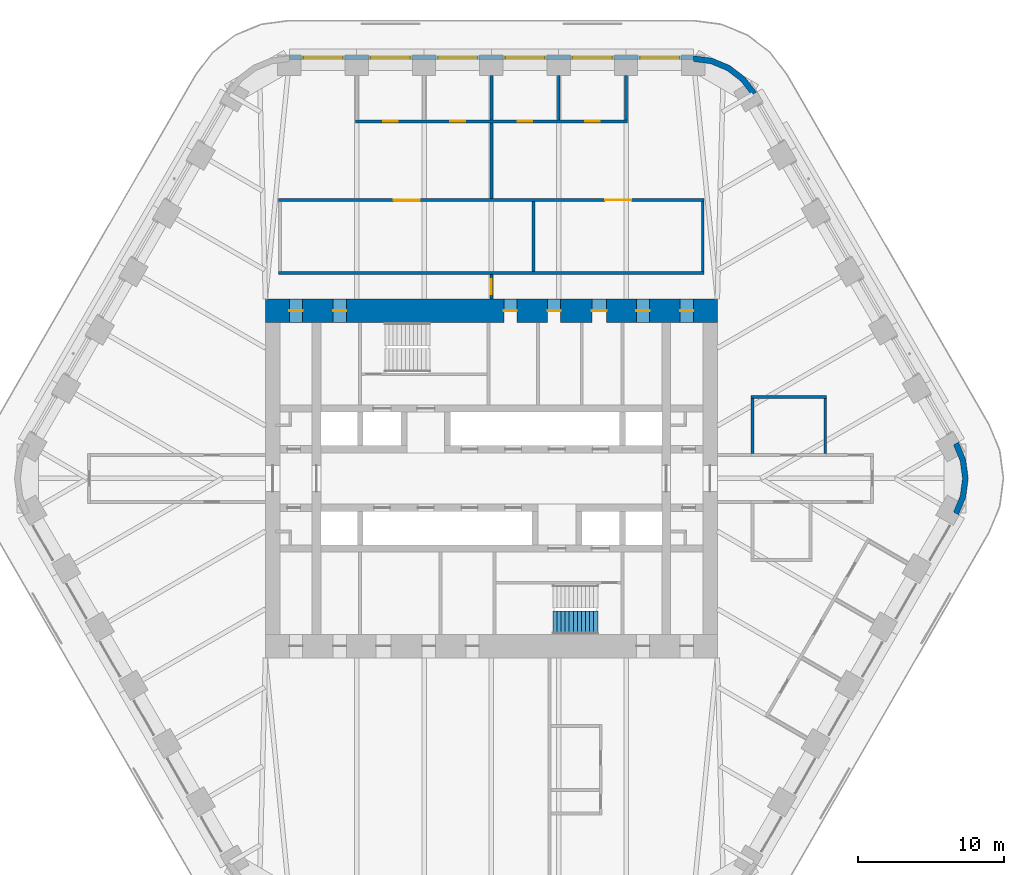
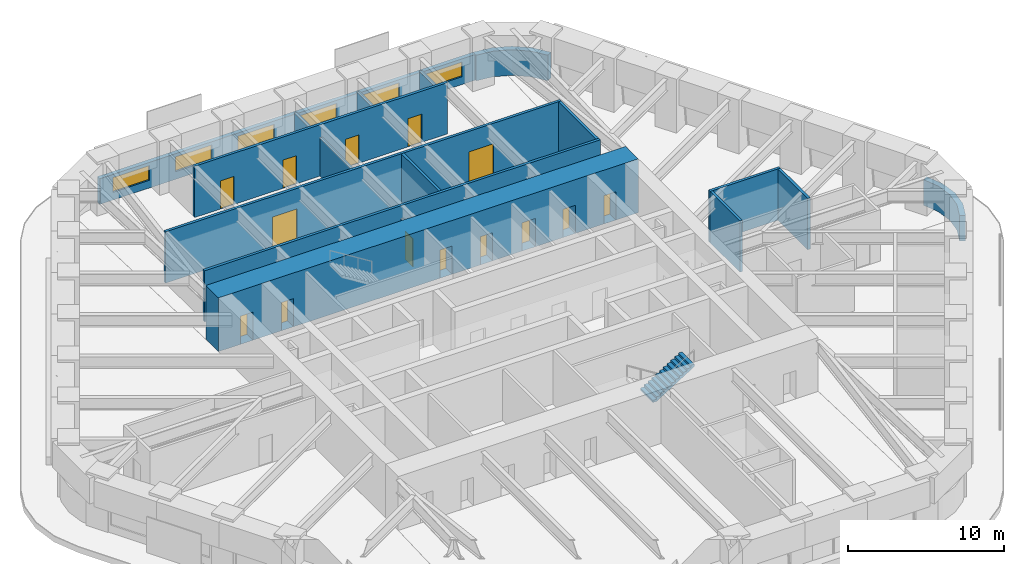
# One storey, part 17 of 20: 17 walls, 14 doors, 6 windows, 1 stair flight, 20 openings, 1 element without a shape of its own.
"""IFC4 building model written with IfcOpenShell, lengths in metres."""

from ifc_helpers import new_model, si_unit, direction, frame, frame_2d, origin, place, context, subcontext, project, spatial, polyline, rectangle, outline, extrude, material, layer, layer_set, type_object, element, fill, aggregate, save


model = new_model("IFC4")

# Units and contexts
model_context = context("Model", 3, precision=1e-05, world=origin(), true_north=direction((0.0, 1.0)))
body_context = subcontext(model_context, "Body", "Model", "MODEL_VIEW")
ifc_project = project(units=[si_unit("LENGTHUNIT", "METRE"), si_unit("AREAUNIT", "SQUARE_METRE"), si_unit("VOLUMEUNIT", "CUBIC_METRE"), si_unit("PLANEANGLEUNIT", "RADIAN"), si_unit("MASSUNIT", "GRAM", prefix="KILO")], contexts=[model_context])

# Site, building, storey
site_placement = place(None, origin())
site = spatial("IfcSite", under=ifc_project, at=site_placement, CompositionType="ELEMENT")
building_placement = place(site_placement, origin())
building = spatial("IfcBuilding", under=site, at=building_placement, Name="Tarfa Lantern Tower", CompositionType="ELEMENT")
storey_placement = place(building_placement, frame((0.0, 0.0, 223.89990234375)))
storey = spatial("IfcBuildingStorey", under=building, at=storey_placement, Name="L50", CompositionType="ELEMENT", Elevation=223.89990234375)

# Wall, openings, windows
ifc_material_1 = material(Name="Limestone cladding on blockwork", Category="masonry")
ifc_layer_1 = layer(ifc_material_1, 0.300048828125)
ifc_layer_set_1 = layer_set([ifc_layer_1], Name="EW1 STONE-CLAD WALL 300")
wall_type_1 = type_object("IfcWallType", Name="EW1 STONE-CLAD WALL 300", PredefinedType="SOLIDWALL", material=ifc_layer_set_1)
wall_1_placement = place(storey_placement, frame((13.8564453125, 28.85009765625, 0.0), z_axis=(0.0, 0.0, 1.0), x_axis=(-1.0, 0.0, 0.0)))
wall_1 = element("IfcWall", 1, at=wall_1_placement, inside=storey, type_object=wall_type_1, Name="Stone wall N", PredefinedType="SOLIDWALL", context=body_context, shape_type="SweptSolid", body=[
    extrude(rectangle(XDim=27.712890625, YDim=0.300048828125, at=frame_2d((13.8564453125, 0.0))), origin(), (0.0, 0.0, 1.0), 2.0),
])
opening_1_placement = place(wall_1_placement, frame((0.95947265625, 0.0, 0.60009765625)))
opening_1 = element("IfcOpeningElement", 2, at=opening_1_placement, cuts=wall_1, Name="Opening W13", PredefinedType="OPENING", context=body_context, shape_type="SweptSolid", body=[
    extrude(rectangle(XDim=2.699951171875, YDim=1.14990234375, at=frame_2d((1.35009765625, 0.574951171875))), frame((0.0, 0.159912109375, 0.0), z_axis=(0.0, -1.0, 0.0), x_axis=(1.0, 0.0, 0.0)), (0.0, 0.0, 1.0), 0.320068359375),
])
opening_2_placement = place(wall_1_placement, frame((5.578125, 0.0, 0.60009765625)))
opening_2 = element("IfcOpeningElement", 3, at=opening_2_placement, cuts=wall_1, Name="Opening W13", PredefinedType="OPENING", context=body_context, shape_type="SweptSolid", body=[
    extrude(rectangle(XDim=2.699951171875, YDim=1.14990234375, at=frame_2d((1.35009765625, 0.574951171875))), frame((0.0, 0.159912109375, 0.0), z_axis=(0.0, -1.0, 0.0), x_axis=(1.0, 0.0, 0.0)), (0.0, 0.0, 1.0), 0.320068359375),
])
opening_3_placement = place(wall_1_placement, frame((10.197021484375, 0.0, 0.60009765625)))
opening_3 = element("IfcOpeningElement", 4, at=opening_3_placement, cuts=wall_1, Name="Opening W13", PredefinedType="OPENING", context=body_context, shape_type="SweptSolid", body=[
    extrude(rectangle(XDim=2.699951171875, YDim=1.14990234375, at=frame_2d((1.35009765625, 0.574951171875))), frame((0.0, 0.159912109375, 0.0), z_axis=(0.0, -1.0, 0.0), x_axis=(1.0, 0.0, 0.0)), (0.0, 0.0, 1.0), 0.320068359375),
])
opening_4_placement = place(wall_1_placement, frame((14.81591796875, 0.0, 0.60009765625)))
opening_4 = element("IfcOpeningElement", 5, at=opening_4_placement, cuts=wall_1, Name="Opening W13", PredefinedType="OPENING", context=body_context, shape_type="SweptSolid", body=[
    extrude(rectangle(XDim=2.699951171875, YDim=1.14990234375, at=frame_2d((1.35009765625, 0.574951171875))), frame((0.0, 0.159912109375, 0.0), z_axis=(0.0, -1.0, 0.0), x_axis=(1.0, 0.0, 0.0)), (0.0, 0.0, 1.0), 0.320068359375),
])
opening_5_placement = place(wall_1_placement, frame((19.4345703125, 0.0, 0.60009765625)))
opening_5 = element("IfcOpeningElement", 6, at=opening_5_placement, cuts=wall_1, Name="Opening W13", PredefinedType="OPENING", context=body_context, shape_type="SweptSolid", body=[
    extrude(rectangle(XDim=2.699951171875, YDim=1.14990234375, at=frame_2d((1.35009765625, 0.574951171875))), frame((0.0, 0.159912109375, 0.0), z_axis=(0.0, -1.0, 0.0), x_axis=(1.0, 0.0, 0.0)), (0.0, 0.0, 1.0), 0.320068359375),
])
opening_6_placement = place(wall_1_placement, frame((24.053466796875, 0.0, 0.60009765625)))
opening_6 = element("IfcOpeningElement", 7, at=opening_6_placement, cuts=wall_1, Name="Opening W13", PredefinedType="OPENING", context=body_context, shape_type="SweptSolid", body=[
    extrude(rectangle(XDim=2.699951171875, YDim=1.14990234375, at=frame_2d((1.35009765625, 0.574951171875))), frame((0.0, 0.159912109375, 0.0), z_axis=(0.0, -1.0, 0.0), x_axis=(1.0, 0.0, 0.0)), (0.0, 0.0, 1.0), 0.320068359375),
])
ifc_material_2 = material(Name="Aluminium frame, double glazed", Category="aluminium")
window_type = type_object("IfcWindowType", Name="W13 FULL-HEIGHT GLAZING 2700x1150", PartitioningType="SINGLE_PANEL", PredefinedType="WINDOW", material=ifc_material_2)
window_1_placement = place(opening_1_placement, origin())
window_1 = element("IfcWindow", 8, at=window_1_placement, inside=storey, type_object=window_type, Name="Window N 1", OverallHeight=1.14990234375, OverallWidth=2.699951171875, PartitioningType="SINGLE_PANEL", PredefinedType="WINDOW", context=body_context, shape_type="SweptSolid", body=[
    extrude(rectangle(XDim=2.699951171875, YDim=1.14990234375, at=frame_2d((1.35009765625, 0.574951171875))), frame((0.0, 0.030029296875, 0.0), z_axis=(0.0, -1.0, 0.0), x_axis=(1.0, 0.0, 0.0)), (0.0, 0.0, 1.0), 0.06005859375),
])
fill(opening_1, window_1)
window_2_placement = place(opening_2_placement, origin())
window_2 = element("IfcWindow", 9, at=window_2_placement, inside=storey, type_object=window_type, Name="Window N 2", OverallHeight=1.14990234375, OverallWidth=2.699951171875, PartitioningType="SINGLE_PANEL", PredefinedType="WINDOW", context=body_context, shape_type="SweptSolid", body=[
    extrude(rectangle(XDim=2.699951171875, YDim=1.14990234375, at=frame_2d((1.35009765625, 0.574951171875))), frame((0.0, 0.030029296875, 0.0), z_axis=(0.0, -1.0, 0.0), x_axis=(1.0, 0.0, 0.0)), (0.0, 0.0, 1.0), 0.06005859375),
])
fill(opening_2, window_2)
window_3_placement = place(opening_3_placement, origin())
window_3 = element("IfcWindow", 10, at=window_3_placement, inside=storey, type_object=window_type, Name="Window N 3", OverallHeight=1.14990234375, OverallWidth=2.699951171875, PartitioningType="SINGLE_PANEL", PredefinedType="WINDOW", context=body_context, shape_type="SweptSolid", body=[
    extrude(rectangle(XDim=2.699951171875, YDim=1.14990234375, at=frame_2d((1.35009765625, 0.574951171875))), frame((0.0, 0.030029296875, 0.0), z_axis=(0.0, -1.0, 0.0), x_axis=(1.0, 0.0, 0.0)), (0.0, 0.0, 1.0), 0.06005859375),
])
fill(opening_3, window_3)
window_4_placement = place(opening_4_placement, origin())
window_4 = element("IfcWindow", 11, at=window_4_placement, inside=storey, type_object=window_type, Name="Window N 4", OverallHeight=1.14990234375, OverallWidth=2.699951171875, PartitioningType="SINGLE_PANEL", PredefinedType="WINDOW", context=body_context, shape_type="SweptSolid", body=[
    extrude(rectangle(XDim=2.699951171875, YDim=1.14990234375, at=frame_2d((1.35009765625, 0.574951171875))), frame((0.0, 0.030029296875, 0.0), z_axis=(0.0, -1.0, 0.0), x_axis=(1.0, 0.0, 0.0)), (0.0, 0.0, 1.0), 0.06005859375),
])
fill(opening_4, window_4)
window_5_placement = place(opening_5_placement, origin())
window_5 = element("IfcWindow", 12, at=window_5_placement, inside=storey, type_object=window_type, Name="Window N 5", OverallHeight=1.14990234375, OverallWidth=2.699951171875, PartitioningType="SINGLE_PANEL", PredefinedType="WINDOW", context=body_context, shape_type="SweptSolid", body=[
    extrude(rectangle(XDim=2.699951171875, YDim=1.14990234375, at=frame_2d((1.35009765625, 0.574951171875))), frame((0.0, 0.030029296875, 0.0), z_axis=(0.0, -1.0, 0.0), x_axis=(1.0, 0.0, 0.0)), (0.0, 0.0, 1.0), 0.06005859375),
])
fill(opening_5, window_5)
window_6_placement = place(opening_6_placement, origin())
window_6 = element("IfcWindow", 13, at=window_6_placement, inside=storey, type_object=window_type, Name="Window N 6", OverallHeight=1.14990234375, OverallWidth=2.699951171875, PartitioningType="SINGLE_PANEL", PredefinedType="WINDOW", context=body_context, shape_type="SweptSolid", body=[
    extrude(rectangle(XDim=2.699951171875, YDim=1.14990234375, at=frame_2d((1.35009765625, 0.574951171875))), frame((0.0, 0.030029296875, 0.0), z_axis=(0.0, -1.0, 0.0), x_axis=(1.0, 0.0, 0.0)), (0.0, 0.0, 1.0), 0.06005859375),
])
fill(opening_6, window_6)

# Walls
ifc_layer_2 = layer(ifc_material_1, 0.39990234375)
ifc_layer_set_2 = layer_set([ifc_layer_2], Name="EW2 CURVED STONE CORNER 400")
wall_type_2 = type_object("IfcWallType", Name="EW2 CURVED STONE CORNER 400", PredefinedType="SOLIDWALL", material=ifc_layer_set_2)
wall_2_placement = place(storey_placement, origin())
element("IfcWall", 14, at=wall_2_placement, inside=storey, type_object=wall_type_2, Name="Stone corner NE-N", PredefinedType="SOLIDWALL", context=body_context, shape_type="SweptSolid", body=[
    extrude(outline(polyline([(18.1865234375, 26.5), (17.391845703125, 27.53564453125), (16.3564453125, 28.330078125), (15.150390625, 28.82958984375), (13.8564453125, 29.0), (13.8564453125, 28.60009765625), (15.046875, 28.443359375), (16.156494140625, 27.983642578125), (17.109130859375, 27.252685546875), (17.840087890625, 26.300048828125), (18.1865234375, 26.5)])), origin(), (0.0, 0.0, 1.0), 2.0),
])
wall_3_placement = place(storey_placement, origin())
element("IfcWall", 15, at=wall_3_placement, inside=storey, type_object=wall_type_2, Name="Stone corner SE-NE", PredefinedType="SOLIDWALL", context=body_context, shape_type="SweptSolid", body=[
    extrude(outline(polyline([(32.04296875, -2.5), (32.54248046875, -1.294189453125), (32.712890625, 0.0), (32.54248046875, 1.294189453125), (32.04296875, 2.5), (31.696533203125, 2.300048828125), (32.156005859375, 1.190673828125), (32.312744140625, 0.0), (32.156005859375, -1.190673828125), (31.696533203125, -2.300048828125), (32.04296875, -2.5)])), origin(), (0.0, 0.0, 1.0), 2.0),
])
ifc_material_3 = material(Name="Gypsum board on steel studs", Category="steel")
ifc_layer_3 = layer(ifc_material_3, 0.2099609375)
ifc_layer_set_3 = layer_set([ifc_layer_3], Name="IW2 ACOUSTIC PARTITION 200")
wall_type_3 = type_object("IfcWallType", Name="IW2 ACOUSTIC PARTITION 200", PredefinedType="PARTITIONING", material=ifc_layer_set_3)
wall_4_placement = place(storey_placement, frame((-14.60009765625, 14.10009765625, 0.0), z_axis=(0.0, 0.0, 1.0), x_axis=(1.0, 0.0, 0.0)))
element("IfcWall", 16, at=wall_4_placement, inside=storey, type_object=wall_type_3, Name="Partition", PredefinedType="PARTITIONING", context=body_context, shape_type="SweptSolid", body=[
    extrude(rectangle(XDim=29.2001953125, YDim=0.199951171875, at=frame_2d((14.60009765625, 0.0))), origin(), (0.0, 0.0, 1.0), 4.0),
])

# Wall, openings, doors
wall_5_placement = place(storey_placement, frame((-14.60009765625, 19.10009765625, 0.0), z_axis=(0.0, 0.0, 1.0), x_axis=(1.0, 0.0, 0.0)))
wall_5 = element("IfcWall", 17, at=wall_5_placement, inside=storey, type_object=wall_type_3, Name="Partition", PredefinedType="PARTITIONING", context=body_context, shape_type="SweptSolid", body=[
    extrude(rectangle(XDim=29.2001953125, YDim=0.199951171875, at=frame_2d((14.60009765625, 0.0))), origin(), (0.0, 0.0, 1.0), 4.0),
])
opening_7_placement = place(wall_5_placement, frame((7.89990234375, 0.0, 0.0)))
opening_7 = element("IfcOpeningElement", 18, at=opening_7_placement, cuts=wall_5, Name="Opening D36", PredefinedType="OPENING", context=body_context, shape_type="SweptSolid", body=[
    extrude(rectangle(XDim=1.800048828125, YDim=2.39990234375, at=frame_2d((0.89990234375, 1.199951171875))), frame((0.0, 0.10986328125, 0.0), z_axis=(0.0, -1.0, 0.0), x_axis=(1.0, 0.0, 0.0)), (0.0, 0.0, 1.0), 0.219970703125),
])
opening_8_placement = place(wall_5_placement, frame((22.39990234375, 0.0, 0.0)))
opening_8 = element("IfcOpeningElement", 19, at=opening_8_placement, cuts=wall_5, Name="Opening D37", PredefinedType="OPENING", context=body_context, shape_type="SweptSolid", body=[
    extrude(rectangle(XDim=1.800048828125, YDim=2.39990234375, at=frame_2d((0.89990234375, 1.199951171875))), frame((0.0, 0.10986328125, 0.0), z_axis=(0.0, -1.0, 0.0), x_axis=(1.0, 0.0, 0.0)), (0.0, 0.0, 1.0), 0.219970703125),
])
ifc_material_4 = material(Name="Timber door", Category="wood")
door_type_1 = type_object("IfcDoorType", Name="DR2 ROOM DOOR 1800x2400", OperationType="DOUBLE_DOOR_SINGLE_SWING", PredefinedType="DOOR", material=ifc_material_4)
door_1_placement = place(opening_7_placement, frame((1.800048828125, 0.0, 0.0), z_axis=(0.0, 0.0, 1.0), x_axis=(-1.0, 0.0, 0.0)))
door_1 = element("IfcDoor", 20, at=door_1_placement, inside=storey, type_object=door_type_1, Name="Legal library door", OperationType="DOUBLE_DOOR_SINGLE_SWING", OverallHeight=2.39990234375, OverallWidth=1.800048828125, PredefinedType="DOOR", context=body_context, shape_type="SweptSolid", body=[
    extrude(rectangle(XDim=1.800048828125, YDim=2.39990234375, at=frame_2d((0.89990234375, 1.199951171875))), frame((0.0, 0.02490234375, 0.0), z_axis=(0.0, -1.0, 0.0), x_axis=(1.0, 0.0, 0.0)), (0.0, 0.0, 1.0), 0.050048828125),
])
fill(opening_7, door_1)
door_2_placement = place(opening_8_placement, frame((1.800048828125, 0.0, 0.0), z_axis=(0.0, 0.0, 1.0), x_axis=(-1.0, 0.0, 0.0)))
door_2 = element("IfcDoor", 21, at=door_2_placement, inside=storey, type_object=door_type_1, Name="File room door", OperationType="DOUBLE_DOOR_SINGLE_SWING", OverallHeight=2.39990234375, OverallWidth=1.800048828125, PredefinedType="DOOR", context=body_context, shape_type="SweptSolid", body=[
    extrude(rectangle(XDim=1.800048828125, YDim=2.39990234375, at=frame_2d((0.89990234375, 1.199951171875))), frame((0.0, 0.02490234375, 0.0), z_axis=(0.0, -1.0, 0.0), x_axis=(1.0, 0.0, 0.0)), (0.0, 0.0, 1.0), 0.050048828125),
])
fill(opening_8, door_2)

# Walls
for number, where, z_axis, x_axis, name in (
    (22, (2.89990234375, 14.199951171875, 0.0), (0.0, 0.0, 1.0), (0.0, 1.0, 0.0), "Partition"),
    (23, (14.5, 14.199951171875, 0.0), (0.0, 0.0, 1.0), (0.0, 1.0, 0.0), "Partition"),
):
    element("IfcWall", number, at=place(storey_placement, frame(where, z_axis=z_axis, x_axis=x_axis)), inside=storey, type_object=wall_type_3, Name=name, PredefinedType="PARTITIONING", context=body_context, shape_type="SweptSolid", body=[
        extrude(rectangle(XDim=4.800048828125, YDim=0.199951171875, at=frame_2d((2.39990234375, 0.0))), origin(), (0.0, 0.0, 1.0), 4.0),
    ])

# Wall, openings, doors
wall_6_placement = place(storey_placement, frame((9.337646484375, 24.5, 0.0), z_axis=(0.0, 0.0, 1.0), x_axis=(-1.0, 0.0, 0.0)))
wall_6 = element("IfcWall", 24, at=wall_6_placement, inside=storey, type_object=wall_type_3, Name="Partition", PredefinedType="PARTITIONING", context=body_context, shape_type="SweptSolid", body=[
    extrude(rectangle(XDim=18.67529296875, YDim=0.199951171875, at=frame_2d((9.337646484375, 0.0))), origin(), (0.0, 0.0, 1.0), 4.0),
])
opening_9_placement = place(wall_6_placement, frame((1.909423828125, 0.0, 0.0)))
opening_9 = element("IfcOpeningElement", 25, at=opening_9_placement, cuts=wall_6, Name="Opening D29", PredefinedType="OPENING", context=body_context, shape_type="SweptSolid", body=[
    extrude(rectangle(XDim=1.0, YDim=2.199951171875, at=frame_2d((0.5, 1.10009765625))), frame((0.0, 0.10986328125, 0.0), z_axis=(0.0, -1.0, 0.0), x_axis=(1.0, 0.0, 0.0)), (0.0, 0.0, 1.0), 0.219970703125),
])
opening_10_placement = place(wall_6_placement, frame((6.5283203125, 0.0, 0.0)))
opening_10 = element("IfcOpeningElement", 26, at=opening_10_placement, cuts=wall_6, Name="Opening D30", PredefinedType="OPENING", context=body_context, shape_type="SweptSolid", body=[
    extrude(rectangle(XDim=1.0, YDim=2.199951171875, at=frame_2d((0.5, 1.10009765625))), frame((0.0, 0.10986328125, 0.0), z_axis=(0.0, -1.0, 0.0), x_axis=(1.0, 0.0, 0.0)), (0.0, 0.0, 1.0), 0.219970703125),
])
opening_11_placement = place(wall_6_placement, frame((11.14697265625, 0.0, 0.0)))
opening_11 = element("IfcOpeningElement", 27, at=opening_11_placement, cuts=wall_6, Name="Opening D31", PredefinedType="OPENING", context=body_context, shape_type="SweptSolid", body=[
    extrude(rectangle(XDim=1.0, YDim=2.199951171875, at=frame_2d((0.5, 1.10009765625))), frame((0.0, 0.10986328125, 0.0), z_axis=(0.0, -1.0, 0.0), x_axis=(1.0, 0.0, 0.0)), (0.0, 0.0, 1.0), 0.219970703125),
])
opening_12_placement = place(wall_6_placement, frame((15.765869140625, 0.0, 0.0)))
opening_12 = element("IfcOpeningElement", 28, at=opening_12_placement, cuts=wall_6, Name="Opening D32", PredefinedType="OPENING", context=body_context, shape_type="SweptSolid", body=[
    extrude(rectangle(XDim=1.0, YDim=2.199951171875, at=frame_2d((0.5, 1.10009765625))), frame((0.0, 0.10986328125, 0.0), z_axis=(0.0, -1.0, 0.0), x_axis=(1.0, 0.0, 0.0)), (0.0, 0.0, 1.0), 0.219970703125),
])
door_type_2 = type_object("IfcDoorType", Name="DR1 ROOM DOOR 1000x2200", OperationType="SINGLE_SWING_LEFT", PredefinedType="DOOR", material=ifc_material_4)
door_3_placement = place(opening_9_placement, frame((1.0, 0.0, 0.0), z_axis=(0.0, 0.0, 1.0), x_axis=(-1.0, 0.0, 0.0)))
door_3 = element("IfcDoor", 29, at=door_3_placement, inside=storey, type_object=door_type_2, Name="Office door", OperationType="SINGLE_SWING_LEFT", OverallHeight=2.199951171875, OverallWidth=1.0, PredefinedType="DOOR", context=body_context, shape_type="SweptSolid", body=[
    extrude(rectangle(XDim=1.0, YDim=2.199951171875, at=frame_2d((0.5, 1.10009765625))), frame((0.0, 0.02490234375, 0.0), z_axis=(0.0, -1.0, 0.0), x_axis=(1.0, 0.0, 0.0)), (0.0, 0.0, 1.0), 0.050048828125),
])
fill(opening_9, door_3)
door_4_placement = place(opening_10_placement, frame((1.0, 0.0, 0.0), z_axis=(0.0, 0.0, 1.0), x_axis=(-1.0, 0.0, 0.0)))
door_4 = element("IfcDoor", 30, at=door_4_placement, inside=storey, type_object=door_type_2, Name="Office door", OperationType="SINGLE_SWING_LEFT", OverallHeight=2.199951171875, OverallWidth=1.0, PredefinedType="DOOR", context=body_context, shape_type="SweptSolid", body=[
    extrude(rectangle(XDim=1.0, YDim=2.199951171875, at=frame_2d((0.5, 1.10009765625))), frame((0.0, 0.02490234375, 0.0), z_axis=(0.0, -1.0, 0.0), x_axis=(1.0, 0.0, 0.0)), (0.0, 0.0, 1.0), 0.050048828125),
])
fill(opening_10, door_4)
door_5_placement = place(opening_11_placement, frame((1.0, 0.0, 0.0), z_axis=(0.0, 0.0, 1.0), x_axis=(-1.0, 0.0, 0.0)))
door_5 = element("IfcDoor", 31, at=door_5_placement, inside=storey, type_object=door_type_2, Name="Office door", OperationType="SINGLE_SWING_RIGHT", OverallHeight=2.199951171875, OverallWidth=1.0, PredefinedType="DOOR", context=body_context, shape_type="SweptSolid", body=[
    extrude(rectangle(XDim=1.0, YDim=2.199951171875, at=frame_2d((0.5, 1.10009765625))), frame((0.0, 0.02490234375, 0.0), z_axis=(0.0, -1.0, 0.0), x_axis=(1.0, 0.0, 0.0)), (0.0, 0.0, 1.0), 0.050048828125),
])
fill(opening_11, door_5)
door_6_placement = place(opening_12_placement, frame((1.0, 0.0, 0.0), z_axis=(0.0, 0.0, 1.0), x_axis=(-1.0, 0.0, 0.0)))
door_6 = element("IfcDoor", 32, at=door_6_placement, inside=storey, type_object=door_type_2, Name="Office door", OperationType="SINGLE_SWING_RIGHT", OverallHeight=2.199951171875, OverallWidth=1.0, PredefinedType="DOOR", context=body_context, shape_type="SweptSolid", body=[
    extrude(rectangle(XDim=1.0, YDim=2.199951171875, at=frame_2d((0.5, 1.10009765625))), frame((0.0, 0.02490234375, 0.0), z_axis=(0.0, -1.0, 0.0), x_axis=(1.0, 0.0, 0.0)), (0.0, 0.0, 1.0), 0.050048828125),
])
fill(opening_12, door_6)

# Walls
for number, where, z_axis, x_axis, name in (
    (33, (9.237548828125, 24.60009765625, 0.0), (0.0, 0.0, 1.0), (0.0, 1.0, 0.0), "Partition"),
    (34, (4.618896484375, 24.60009765625, 0.0), (0.0, 0.0, 1.0), (0.0, 1.0, 0.0), "Partition"),
    (35, (0.0, 24.60009765625, 0.0), (0.0, 0.0, 1.0), (0.0, 1.0, 0.0), "Partition"),
):
    element("IfcWall", number, at=place(storey_placement, frame(where, z_axis=z_axis, x_axis=x_axis)), inside=storey, type_object=wall_type_3, Name=name, PredefinedType="PARTITIONING", context=body_context, shape_type="SweptSolid", body=[
        extrude(rectangle(XDim=3.0498046875, YDim=0.199951171875, at=frame_2d((1.52490234375, 0.0))), origin(), (0.0, 0.0, 1.0), 2.991943359375),
    ])
wall_7_placement = place(storey_placement, frame((17.800048828125, 5.60009765625, 0.0), z_axis=(0.0, 0.0, 1.0), x_axis=(1.0, 0.0, 0.0)))
element("IfcWall", 36, at=wall_7_placement, inside=storey, type_object=wall_type_3, Name="Partition", PredefinedType="PARTITIONING", context=body_context, shape_type="SweptSolid", body=[
    extrude(rectangle(XDim=5.199951171875, YDim=0.199951171875, at=frame_2d((2.60009765625, 0.0))), origin(), (0.0, 0.0, 1.0), 4.0),
])
for number, where, z_axis, x_axis, name in (
    (37, (17.89990234375, 1.699951171875, 0.0), (0.0, 0.0, 1.0), (0.0, 1.0, 0.0), "Partition"),
    (38, (22.89990234375, 1.699951171875, 0.0), (0.0, 0.0, 1.0), (0.0, 1.0, 0.0), "Partition"),
):
    element("IfcWall", number, at=place(storey_placement, frame(where, z_axis=z_axis, x_axis=x_axis)), inside=storey, type_object=wall_type_3, Name=name, PredefinedType="PARTITIONING", context=body_context, shape_type="SweptSolid", body=[
        extrude(rectangle(XDim=3.800048828125, YDim=0.199951171875, at=frame_2d((1.89990234375, 0.0))), origin(), (0.0, 0.0, 1.0), 4.0),
    ])

# Wall, opening, door
wall_8_placement = place(storey_placement, frame((0.0, 12.300048828125, 0.0), z_axis=(0.0, 0.0, 1.0), x_axis=(0.0, 1.0, 0.0)))
wall_8 = element("IfcWall", 39, at=wall_8_placement, inside=storey, type_object=wall_type_3, Name="Partition", PredefinedType="PARTITIONING", context=body_context, shape_type="SweptSolid", body=[
    extrude(rectangle(XDim=1.699951171875, YDim=0.199951171875, at=frame_2d((0.85009765625, 0.0))), origin(), (0.0, 0.0, 1.0), 2.991943359375),
])
opening_13_placement = place(wall_8_placement, frame((0.35009765625, 0.0, 0.0)))
opening_13 = element("IfcOpeningElement", 40, at=opening_13_placement, cuts=wall_8, Name="Opening D46", PredefinedType="OPENING", context=body_context, shape_type="SweptSolid", body=[
    extrude(rectangle(XDim=1.0, YDim=2.199951171875, at=frame_2d((0.5, 1.10009765625))), frame((0.0, 0.10986328125, 0.0), z_axis=(0.0, -1.0, 0.0), x_axis=(1.0, 0.0, 0.0)), (0.0, 0.0, 1.0), 0.219970703125),
])
door_7_placement = place(opening_13_placement, frame((1.0, 0.0, 0.0), z_axis=(0.0, 0.0, 1.0), x_axis=(-1.0, 0.0, 0.0)))
door_7 = element("IfcDoor", 41, at=door_7_placement, inside=storey, type_object=door_type_2, Name="Zone door", OperationType="SINGLE_SWING_RIGHT", OverallHeight=2.199951171875, OverallWidth=1.0, PredefinedType="DOOR", context=body_context, shape_type="SweptSolid", body=[
    extrude(rectangle(XDim=1.0, YDim=2.199951171875, at=frame_2d((0.5, 1.10009765625))), frame((0.0, 0.02490234375, 0.0), z_axis=(0.0, -1.0, 0.0), x_axis=(1.0, 0.0, 0.0)), (0.0, 0.0, 1.0), 0.050048828125),
])
fill(opening_13, door_7)

# Wall
wall_9_placement = place(storey_placement, frame((0.0, 19.199951171875, 0.0), z_axis=(0.0, 0.0, 1.0), x_axis=(0.0, 1.0, 0.0)))
element("IfcWall", 42, at=wall_9_placement, inside=storey, type_object=wall_type_3, Name="Partition", PredefinedType="PARTITIONING", context=body_context, shape_type="SweptSolid", body=[
    extrude(rectangle(XDim=5.199951171875, YDim=0.199951171875, at=frame_2d((2.60009765625, 0.0))), origin(), (0.0, 0.0, 1.0), 2.991943359375),
])

# Wall, openings, doors
ifc_material_5 = material(Name="Concrete C80/95", Category="concrete")
ifc_layer_4 = layer(ifc_material_5, 1.60009765625)
ifc_layer_set_4 = layer_set([ifc_layer_4], Name="SW7 CORE WALL 1600")
wall_type_4 = type_object("IfcWallType", Name="SW7 CORE WALL 1600", PredefinedType="SHEAR", material=ifc_layer_set_4)
wall_10_placement = place(storey_placement, frame((-15.5, 11.5, 0.0), z_axis=(0.0, 0.0, 1.0), x_axis=(1.0, 0.0, 0.0)))
wall_10 = element("IfcWall", 43, at=wall_10_placement, inside=storey, type_object=wall_type_4, Name="Core wall N", PredefinedType="SHEAR", context=body_context, shape_type="SweptSolid", body=[
    extrude(rectangle(XDim=31.0, YDim=1.60009765625, at=frame_2d((15.5, 0.0))), origin(), (0.0, 0.0, 1.0), 4.2001953125),
])
opening_14_placement = place(wall_10_placement, frame((16.35009765625, 0.0, 0.0)))
opening_14 = element("IfcOpeningElement", 44, at=opening_14_placement, cuts=wall_10, Name="Opening D17", PredefinedType="OPENING", context=body_context, shape_type="SweptSolid", body=[
    extrude(rectangle(XDim=0.89990234375, YDim=2.199951171875, at=frame_2d((0.449951171875, 1.10009765625))), frame((0.0, 0.81005859375, 0.0), z_axis=(0.0, -1.0, 0.0), x_axis=(1.0, 0.0, 0.0)), (0.0, 0.0, 1.0), 1.6201171875),
])
opening_15_placement = place(wall_10_placement, frame((19.35009765625, 0.0, 0.0)))
opening_15 = element("IfcOpeningElement", 45, at=opening_15_placement, cuts=wall_10, Name="Opening D19", PredefinedType="OPENING", context=body_context, shape_type="SweptSolid", body=[
    extrude(rectangle(XDim=0.89990234375, YDim=2.199951171875, at=frame_2d((0.449951171875, 1.10009765625))), frame((0.0, 0.81005859375, 0.0), z_axis=(0.0, -1.0, 0.0), x_axis=(1.0, 0.0, 0.0)), (0.0, 0.0, 1.0), 1.6201171875),
])
opening_16_placement = place(wall_10_placement, frame((22.39990234375, 0.0, 0.0)))
opening_16 = element("IfcOpeningElement", 46, at=opening_16_placement, cuts=wall_10, Name="Opening D21", PredefinedType="OPENING", context=body_context, shape_type="SweptSolid", body=[
    extrude(rectangle(XDim=1.0, YDim=2.199951171875, at=frame_2d((0.5, 1.10009765625))), frame((0.0, 0.81005859375, 0.0), z_axis=(0.0, -1.0, 0.0), x_axis=(1.0, 0.0, 0.0)), (0.0, 0.0, 1.0), 1.6201171875),
])
opening_17_placement = place(wall_10_placement, frame((1.64990234375, 0.0, 0.0)))
opening_17 = element("IfcOpeningElement", 47, at=opening_17_placement, cuts=wall_10, Name="Opening D07", PredefinedType="OPENING", context=body_context, shape_type="SweptSolid", body=[
    extrude(rectangle(XDim=0.89990234375, YDim=2.199951171875, at=frame_2d((0.449951171875, 1.10009765625))), frame((0.0, 0.81005859375, 0.0), z_axis=(0.0, -1.0, 0.0), x_axis=(1.0, 0.0, 0.0)), (0.0, 0.0, 1.0), 1.6201171875),
])
opening_18_placement = place(wall_10_placement, frame((4.64990234375, 0.0, 0.0)))
opening_18 = element("IfcOpeningElement", 48, at=opening_18_placement, cuts=wall_10, Name="Opening D05", PredefinedType="OPENING", context=body_context, shape_type="SweptSolid", body=[
    extrude(rectangle(XDim=0.89990234375, YDim=2.199951171875, at=frame_2d((0.449951171875, 1.10009765625))), frame((0.0, 0.81005859375, 0.0), z_axis=(0.0, -1.0, 0.0), x_axis=(1.0, 0.0, 0.0)), (0.0, 0.0, 1.0), 1.6201171875),
])
opening_19_placement = place(wall_10_placement, frame((25.449951171875, 0.0, 0.0)))
opening_19 = element("IfcOpeningElement", 49, at=opening_19_placement, cuts=wall_10, Name="Opening D03", PredefinedType="OPENING", context=body_context, shape_type="SweptSolid", body=[
    extrude(rectangle(XDim=0.89990234375, YDim=2.199951171875, at=frame_2d((0.449951171875, 1.10009765625))), frame((0.0, 0.81005859375, 0.0), z_axis=(0.0, -1.0, 0.0), x_axis=(1.0, 0.0, 0.0)), (0.0, 0.0, 1.0), 1.6201171875),
])
opening_20_placement = place(wall_10_placement, frame((28.449951171875, 0.0, 0.0)))
opening_20 = element("IfcOpeningElement", 50, at=opening_20_placement, cuts=wall_10, Name="Opening D01", PredefinedType="OPENING", context=body_context, shape_type="SweptSolid", body=[
    extrude(rectangle(XDim=0.89990234375, YDim=2.199951171875, at=frame_2d((0.449951171875, 1.10009765625))), frame((0.0, 0.81005859375, 0.0), z_axis=(0.0, -1.0, 0.0), x_axis=(1.0, 0.0, 0.0)), (0.0, 0.0, 1.0), 1.6201171875),
])
ifc_material_6 = material(Name="Steel fire door", Category="steel")
door_type_3 = type_object("IfcDoorType", Name="DF3 CORE ROOM DOOR 900x2200", OperationType="SINGLE_SWING_LEFT", PredefinedType="DOOR", material=ifc_material_6)
door_8_placement = place(opening_14_placement, frame((0.89990234375, 0.0, 0.0), z_axis=(0.0, 0.0, 1.0), x_axis=(-1.0, 0.0, 0.0)))
door_8 = element("IfcDoor", 51, at=door_8_placement, inside=storey, type_object=door_type_3, Name="Core door", OperationType="SINGLE_SWING_LEFT", OverallHeight=2.199951171875, OverallWidth=0.89990234375, PredefinedType="DOOR", context=body_context, shape_type="SweptSolid", body=[
    extrude(rectangle(XDim=0.89990234375, YDim=2.199951171875, at=frame_2d((0.449951171875, 1.10009765625))), frame((0.0, 0.02490234375, 0.0), z_axis=(0.0, -1.0, 0.0), x_axis=(1.0, 0.0, 0.0)), (0.0, 0.0, 1.0), 0.050048828125),
])
fill(opening_14, door_8)
door_9_placement = place(opening_15_placement, frame((0.89990234375, 0.0, 0.0), z_axis=(0.0, 0.0, 1.0), x_axis=(-1.0, 0.0, 0.0)))
door_9 = element("IfcDoor", 52, at=door_9_placement, inside=storey, type_object=door_type_3, Name="Core door", OperationType="SINGLE_SWING_LEFT", OverallHeight=2.199951171875, OverallWidth=0.89990234375, PredefinedType="DOOR", context=body_context, shape_type="SweptSolid", body=[
    extrude(rectangle(XDim=0.89990234375, YDim=2.199951171875, at=frame_2d((0.449951171875, 1.10009765625))), frame((0.0, 0.02490234375, 0.0), z_axis=(0.0, -1.0, 0.0), x_axis=(1.0, 0.0, 0.0)), (0.0, 0.0, 1.0), 0.050048828125),
])
fill(opening_15, door_9)
door_type_4 = type_object("IfcDoorType", Name="DF4 CORE ROOM DOOR 1000x2200", OperationType="SINGLE_SWING_LEFT", PredefinedType="DOOR", material=ifc_material_6)
door_10_placement = place(opening_16_placement, frame((1.0, 0.0, 0.0), z_axis=(0.0, 0.0, 1.0), x_axis=(-1.0, 0.0, 0.0)))
door_10 = element("IfcDoor", 53, at=door_10_placement, inside=storey, type_object=door_type_4, Name="Core door", OperationType="SINGLE_SWING_LEFT", OverallHeight=2.199951171875, OverallWidth=1.0, PredefinedType="DOOR", context=body_context, shape_type="SweptSolid", body=[
    extrude(rectangle(XDim=1.0, YDim=2.199951171875, at=frame_2d((0.5, 1.10009765625))), frame((0.0, 0.02490234375, 0.0), z_axis=(0.0, -1.0, 0.0), x_axis=(1.0, 0.0, 0.0)), (0.0, 0.0, 1.0), 0.050048828125),
])
fill(opening_16, door_10)
door_type_5 = type_object("IfcDoorType", Name="DF5 RISER DOOR 900x2200", OperationType="SINGLE_SWING_LEFT", PredefinedType="DOOR", material=ifc_material_6)
door_11_placement = place(opening_17_placement, frame((0.89990234375, 0.0, 0.0), z_axis=(0.0, 0.0, 1.0), x_axis=(-1.0, 0.0, 0.0)))
door_11 = element("IfcDoor", 54, at=door_11_placement, inside=storey, type_object=door_type_5, Name="Riser door", OperationType="SINGLE_SWING_LEFT", OverallHeight=2.199951171875, OverallWidth=0.89990234375, PredefinedType="DOOR", context=body_context, shape_type="SweptSolid", body=[
    extrude(rectangle(XDim=0.89990234375, YDim=2.199951171875, at=frame_2d((0.449951171875, 1.10009765625))), frame((0.0, 0.02490234375, 0.0), z_axis=(0.0, -1.0, 0.0), x_axis=(1.0, 0.0, 0.0)), (0.0, 0.0, 1.0), 0.050048828125),
])
fill(opening_17, door_11)
door_12_placement = place(opening_18_placement, frame((0.89990234375, 0.0, 0.0), z_axis=(0.0, 0.0, 1.0), x_axis=(-1.0, 0.0, 0.0)))
door_12 = element("IfcDoor", 55, at=door_12_placement, inside=storey, type_object=door_type_5, Name="Riser door", OperationType="SINGLE_SWING_LEFT", OverallHeight=2.199951171875, OverallWidth=0.89990234375, PredefinedType="DOOR", context=body_context, shape_type="SweptSolid", body=[
    extrude(rectangle(XDim=0.89990234375, YDim=2.199951171875, at=frame_2d((0.449951171875, 1.10009765625))), frame((0.0, 0.02490234375, 0.0), z_axis=(0.0, -1.0, 0.0), x_axis=(1.0, 0.0, 0.0)), (0.0, 0.0, 1.0), 0.050048828125),
])
fill(opening_18, door_12)
door_13_placement = place(opening_19_placement, frame((0.89990234375, 0.0, 0.0), z_axis=(0.0, 0.0, 1.0), x_axis=(-1.0, 0.0, 0.0)))
door_13 = element("IfcDoor", 56, at=door_13_placement, inside=storey, type_object=door_type_5, Name="Riser door", OperationType="SINGLE_SWING_RIGHT", OverallHeight=2.199951171875, OverallWidth=0.89990234375, PredefinedType="DOOR", context=body_context, shape_type="SweptSolid", body=[
    extrude(rectangle(XDim=0.89990234375, YDim=2.199951171875, at=frame_2d((0.449951171875, 1.10009765625))), frame((0.0, 0.02490234375, 0.0), z_axis=(0.0, -1.0, 0.0), x_axis=(1.0, 0.0, 0.0)), (0.0, 0.0, 1.0), 0.050048828125),
])
fill(opening_19, door_13)
door_14_placement = place(opening_20_placement, frame((0.89990234375, 0.0, 0.0), z_axis=(0.0, 0.0, 1.0), x_axis=(-1.0, 0.0, 0.0)))
door_14 = element("IfcDoor", 57, at=door_14_placement, inside=storey, type_object=door_type_5, Name="Riser door", OperationType="SINGLE_SWING_RIGHT", OverallHeight=2.199951171875, OverallWidth=0.89990234375, PredefinedType="DOOR", context=body_context, shape_type="SweptSolid", body=[
    extrude(rectangle(XDim=0.89990234375, YDim=2.199951171875, at=frame_2d((0.449951171875, 1.10009765625))), frame((0.0, 0.02490234375, 0.0), z_axis=(0.0, -1.0, 0.0), x_axis=(1.0, 0.0, 0.0)), (0.0, 0.0, 1.0), 0.050048828125),
])
fill(opening_20, door_14)

# Stair, stair flight
ifc_material_7 = material(Name="Concrete C40/50", Category="concrete")
stair_type = type_object("IfcStairType", Name="ST-T10 HALF-TURN STAIR 4200 RISE", PredefinedType="HALF_TURN_STAIR", material=ifc_material_7)
stair_placement = place(storey_placement, origin())
stair = element("IfcStair", 58, at=stair_placement, inside=storey, type_object=stair_type, Name="Stair ST2", PredefinedType="HALF_TURN_STAIR")
stair_flight_type = type_object("IfcStairFlightType", Name="SF1 STAIR FLIGHT", PredefinedType="STRAIGHT", material=ifc_material_7)
stair_flight_placement = place(storey_placement, frame((4.219970703125, -9.89990234375, 2.10009765625), z_axis=(0.0, 0.0, 1.0), x_axis=(1.0, 0.0, 0.0)))
stair_flight = element("IfcStairFlight", 59, at=stair_flight_placement, type_object=stair_flight_type, Name="ST2 flight 2", NumberOfRisers=12, NumberOfTreads=11, PredefinedType="STRAIGHT", RiserHeight=0.175, TreadLength=0.28, context=body_context, shape_type="SweptSolid", body=[
    extrude(outline(polyline([(0.0, 0.0), (0.0, 0.175048828125), (0.280029296875, 0.175048828125), (0.280029296875, 0.35009765625), (0.56005859375, 0.35009765625), (0.56005859375, 0.52490234375), (0.840087890625, 0.52490234375), (0.840087890625, 0.699951171875), (1.1201171875, 0.699951171875), (1.1201171875, 0.875), (1.39990234375, 0.875), (1.39990234375, 1.050048828125), (1.679931640625, 1.050048828125), (1.679931640625, 1.22509765625), (1.9599609375, 1.22509765625), (1.9599609375, 1.39990234375), (2.239990234375, 1.39990234375), (2.239990234375, 1.574951171875), (2.52001953125, 1.574951171875), (2.52001953125, 1.75), (2.800048828125, 1.75), (2.800048828125, 1.925048828125), (3.080078125, 1.925048828125), (3.080078125, 2.10009765625), (3.080078125, 1.748291015625), (0.28271484375, 0.0), (0.0, 0.0)])), frame((0.0, 0.800048828125, 0.0), z_axis=(0.0, -1.0, 0.0), x_axis=(1.0, 0.0, 0.0)), (0.0, 0.0, 1.0), 1.60009765625),
])
aggregate(stair, [stair_flight])

save(model, "model.ifc")
